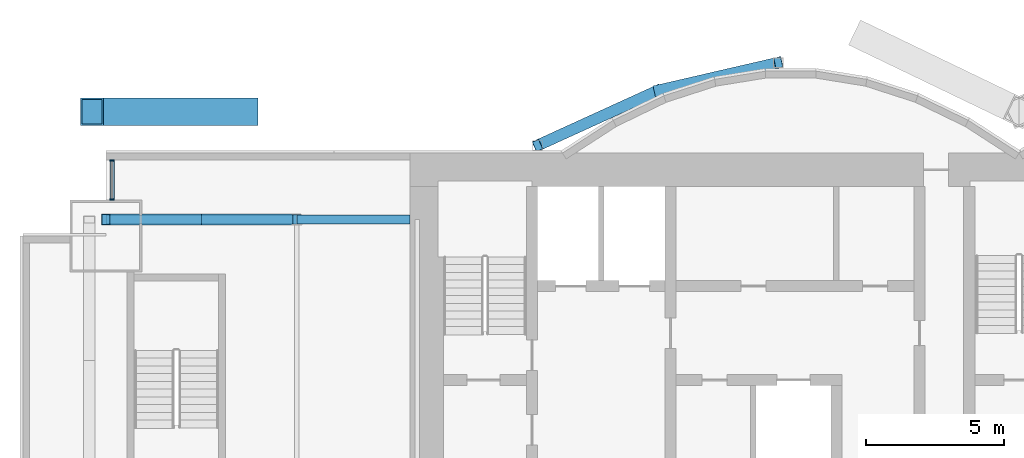
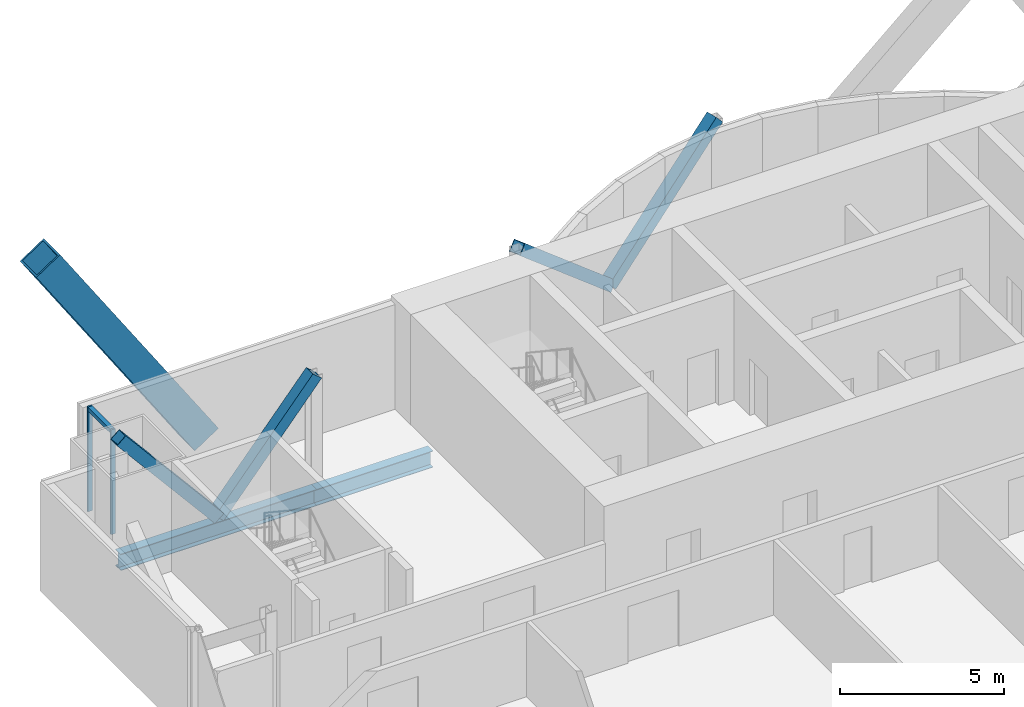
# One storey, part 10 of 21: 8 members, 2 beams, 1 element without a shape of its own.
"""IFC4 building model written with IfcOpenShell, lengths in metres."""

from ifc_helpers import new_model, si_unit, direction, frame, origin, origin_2d, place, context, subcontext, project, spatial, rectangle, hollow_rectangle, i_section, extrude, material, material_profile, profile_set, type_object, element, aggregate, save


model = new_model("IFC4")

# Units and contexts
model_context = context("Model", 3, precision=1e-05, world=origin(), true_north=direction((0.0, 1.0)))
body_context = subcontext(model_context, "Body", "Model", "MODEL_VIEW")
ifc_project = project(units=[si_unit("LENGTHUNIT", "METRE"), si_unit("AREAUNIT", "SQUARE_METRE"), si_unit("VOLUMEUNIT", "CUBIC_METRE"), si_unit("PLANEANGLEUNIT", "RADIAN"), si_unit("MASSUNIT", "GRAM", prefix="KILO")], contexts=[model_context])

# Site, building, storey
site_placement = place(None, origin())
site = spatial("IfcSite", under=ifc_project, at=site_placement, CompositionType="ELEMENT")
building_placement = place(site_placement, origin())
building = spatial("IfcBuilding", under=site, at=building_placement, Name="Bicima Exchange Tower", CompositionType="ELEMENT")
storey_placement = place(building_placement, frame((0.0, 0.0, 181.39990234375)))
storey = spatial("IfcBuildingStorey", under=building, at=storey_placement, Name="L40", CompositionType="ELEMENT", Elevation=181.39990234375)

# Member
ifc_material_1 = material(Name="Steel ASTM A572 Gr 50", Category="steel")
ifc_material_profile_1 = material_profile(ifc_material_1, hollow_rectangle(XDim=1.0, YDim=1.0, WallThickness=0.06005859375, at=origin_2d()))
ifc_profile_set_1 = profile_set([ifc_material_profile_1], Name="Steel ASTM A572 Gr 50")
member_type_1 = type_object("IfcMemberType", Name="Exo mega brace BOX 1000x1000x60", PredefinedType="BRACE", material=ifc_profile_set_1)
member_1_placement = place(storey_placement, frame((-27.916748046875, 1.5, 0.183349609375), z_axis=(-0.552785436873, 0.0, 0.833323623079), x_axis=(0.0, -1.0, 0.0)))
element("IfcMember", 1, at=member_1_placement, inside=storey, type_object=member_type_1, Name="Exo mega brace rear", PredefinedType="BRACE", context=body_context, shape_type="SweptSolid", body=[
    extrude(hollow_rectangle(XDim=1.0, YDim=1.0, WallThickness=0.06005859375, at=origin_2d()), origin(), (0.0, 0.0, 1.0), 10.10009765625),
])

# Curtain wall, members
ifc_material_2 = material(Name="Anodised bronze aluminium", Category="aluminium")
curtain_wall_type = type_object("IfcCurtainWallType", Name="Front glass wall", PredefinedType="NOTDEFINED", material=ifc_material_2)
curtain_wall_placement = place(storey_placement, origin())
curtain_wall = element("IfcCurtainWall", 2, at=curtain_wall_placement, inside=storey, type_object=curtain_wall_type, Name="Front glass wall L40 run 1", PredefinedType="NOTDEFINED")
ifc_material_profile_2 = material_profile(ifc_material_2, rectangle(XDim=0.159912109375, YDim=0.06005859375, at=origin_2d()))
ifc_profile_set_2 = profile_set([ifc_material_profile_2], Name="Anodised bronze aluminium")
member_type_2 = type_object("IfcMemberType", Name="Front glass wall mullion 60 x 160", PredefinedType="MULLION", material=ifc_profile_set_2)
member_2_placement = place(storey_placement, frame((-32.77001953125, -0.260009765625, 0.0), z_axis=(0.0, 0.0, 1.0), x_axis=(1.0, 0.0, 0.0)))
member_2 = element("IfcMember", 3, at=member_2_placement, type_object=member_type_2, Name="Front glass wall mullion 1", PredefinedType="MULLION", context=body_context, shape_type="SweptSolid", body=[
    extrude(rectangle(XDim=0.159912109375, YDim=0.06005859375, at=origin_2d()), origin(), (0.0, 0.0, 1.0), 3.900146484375),
])
member_3_placement = place(storey_placement, frame((-32.77001953125, -1.669921875, 0.0), z_axis=(0.0, 0.0, 1.0), x_axis=(1.0, 0.0, 0.0)))
member_3 = element("IfcMember", 4, at=member_3_placement, type_object=member_type_2, Name="Front glass wall mullion 2", PredefinedType="MULLION", context=body_context, shape_type="SweptSolid", body=[
    extrude(rectangle(XDim=0.159912109375, YDim=0.06005859375, at=origin_2d()), origin(), (0.0, 0.0, 1.0), 3.900146484375),
])
ifc_material_profile_3 = material_profile(ifc_material_2, rectangle(XDim=0.159912109375, YDim=0.139892578125, at=origin_2d()))
ifc_profile_set_3 = profile_set([ifc_material_profile_3], Name="Anodised bronze aluminium")
member_type_3 = type_object("IfcMemberType", Name="Front glass wall transom 140 x 160", PredefinedType="USERDEFINED", material=ifc_profile_set_3)
member_4_placement = place(storey_placement, frame((-32.77001953125, -0.2900390625, 3.830078125), z_axis=(0.0, -1.0, 0.0), x_axis=(1.0, 0.0, 0.0)))
member_4 = element("IfcMember", 5, at=member_4_placement, type_object=member_type_3, Name="Front glass wall transom 1.1", ObjectType="TRANSOM", PredefinedType="USERDEFINED", context=body_context, shape_type="SweptSolid", body=[
    extrude(rectangle(XDim=0.159912109375, YDim=0.139892578125, at=origin_2d()), origin(), (0.0, 0.0, 1.0), 1.349853515625),
])
aggregate(curtain_wall, [member_2, member_3, member_4])

# Members
ifc_material_profile_4 = material_profile(ifc_material_1, hollow_rectangle(XDim=0.406494140625, YDim=0.406494140625, WallThickness=0.017822265625, at=origin_2d()))
ifc_profile_set_4 = profile_set([ifc_material_profile_4], Name="Steel ASTM A572 Gr 50")
member_type_4 = type_object("IfcMemberType", Name="Mega brace HSS16x16x3/4", PredefinedType="BRACE", material=ifc_profile_set_4)
member_5_placement = place(storey_placement, frame((-13.050048828125, 2.262451171875, 0.0), z_axis=(0.717605620354, 0.166050509188, 0.676364843878), x_axis=(-0.225438503722, 0.974257399787, 0.0)))
element("IfcMember", 6, at=member_5_placement, inside=storey, type_object=member_type_4, Name="Mega brace rexo", PredefinedType="BRACE", context=body_context, shape_type="SweptSolid", body=[
    extrude(hollow_rectangle(XDim=0.406494140625, YDim=0.406494140625, WallThickness=0.017822265625, at=origin_2d()), origin(), (0.0, 0.0, 1.0), 6.06201171875),
])
member_6_placement = place(storey_placement, frame((-13.050048828125, 2.262451171875, 0.0), z_axis=(-0.690628963585, -0.315060460011, 0.650975069565), x_axis=(0.415045223819, -0.909800781592, 0.0)))
element("IfcMember", 7, at=member_6_placement, inside=storey, type_object=member_type_4, Name="Mega brace rexo", PredefinedType="BRACE", context=body_context, shape_type="SweptSolid", body=[
    extrude(hollow_rectangle(XDim=0.406494140625, YDim=0.406494140625, WallThickness=0.017822265625, at=origin_2d()), origin(), (0.0, 0.0, 1.0), 6.29833984375),
])
for number, where, z_axis, x_axis, name in (
    (8, (-29.550048828125, -2.39990234375, 0.0), (0.643834042494, 0.0, 0.765165162384), (0.0, 1.0, 0.0), "Mega brace rear"),
    (9, (-29.550048828125, -2.39990234375, 0.0), (-0.643834042494, 0.0, 0.765165162384), (0.0, -1.0, 0.0), "Mega brace rear"),
):
    element("IfcMember", number, at=place(storey_placement, frame(where, z_axis=z_axis, x_axis=x_axis)), inside=storey, type_object=member_type_4, Name=name, PredefinedType="BRACE", context=body_context, shape_type="SweptSolid", body=[
        extrude(hollow_rectangle(XDim=0.406494140625, YDim=0.406494140625, WallThickness=0.017822265625, at=origin_2d()), origin(), (0.0, 0.0, 1.0), 5.3583984375),
    ])

# Beams
ifc_material_3 = material(Name="Steel ASTM A992 Gr 50", Category="steel")
ifc_material_profile_5 = material_profile(ifc_material_3, i_section(OverallWidth=0.3251953125, OverallDepth=0.612060546875, WebThickness=0.0126953125, FlangeThickness=0.01904296875, at=origin_2d()))
ifc_profile_set_5 = profile_set([ifc_material_profile_5], Name="Steel ASTM A992 Gr 50")
beam_type = type_object("IfcBeamType", Name="Rear girder W24x104", PredefinedType="BEAM", material=ifc_profile_set_5)
beam_1_placement = place(storey_placement, frame((-22.0, -2.39990234375, -0.4560546875), z_axis=(-1.0, 0.0, 0.0), x_axis=(0.0, -1.0, 0.0)))
element("IfcBeam", 10, at=beam_1_placement, inside=storey, type_object=beam_type, Name="Rear girder", PredefinedType="BEAM", context=body_context, shape_type="SweptSolid", body=[
    extrude(i_section(OverallWidth=0.3251953125, OverallDepth=0.612060546875, WebThickness=0.0126953125, FlangeThickness=0.01904296875, at=origin_2d()), origin(), (0.0, 0.0, 1.0), 4.10009765625),
])
beam_2_placement = place(storey_placement, frame((-26.10009765625, -2.39990234375, -0.4560546875), z_axis=(-1.0, 0.0, 0.0), x_axis=(0.0, -1.0, 0.0)))
element("IfcBeam", 11, at=beam_2_placement, inside=storey, type_object=beam_type, Name="Rear girder", PredefinedType="BEAM", context=body_context, shape_type="SweptSolid", body=[
    extrude(i_section(OverallWidth=0.3251953125, OverallDepth=0.612060546875, WebThickness=0.0126953125, FlangeThickness=0.01904296875, at=origin_2d()), origin(), (0.0, 0.0, 1.0), 6.89990234375),
])

save(model, "model.ifc")
